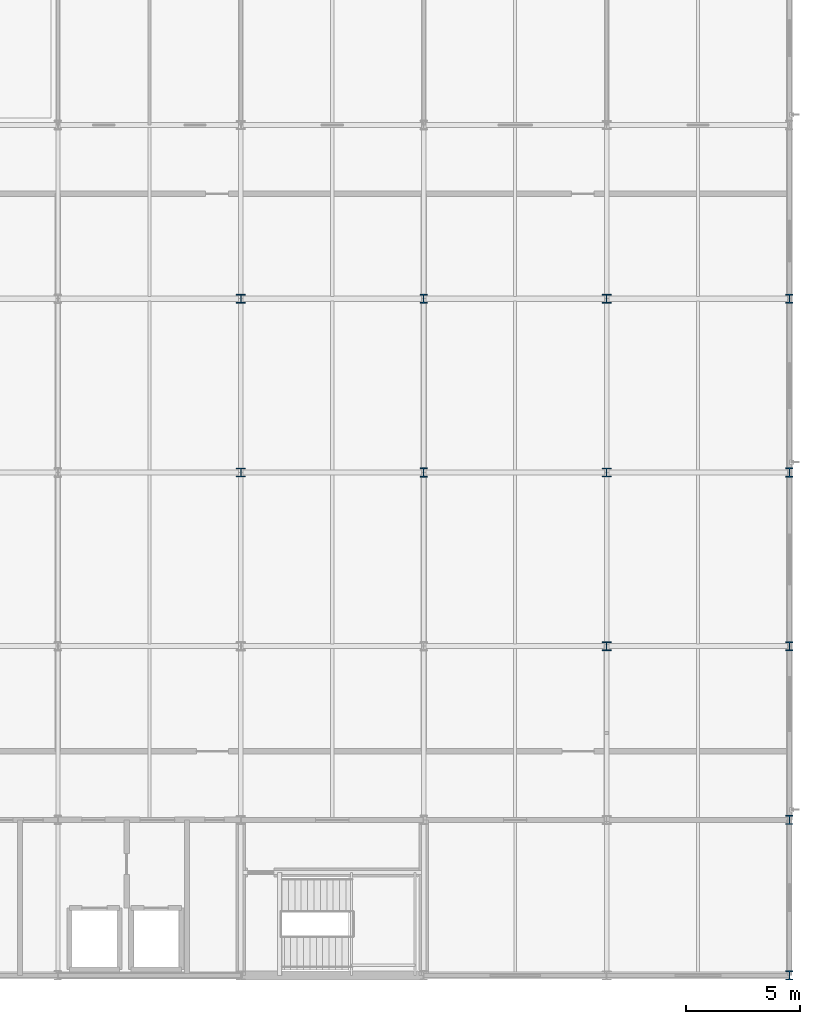
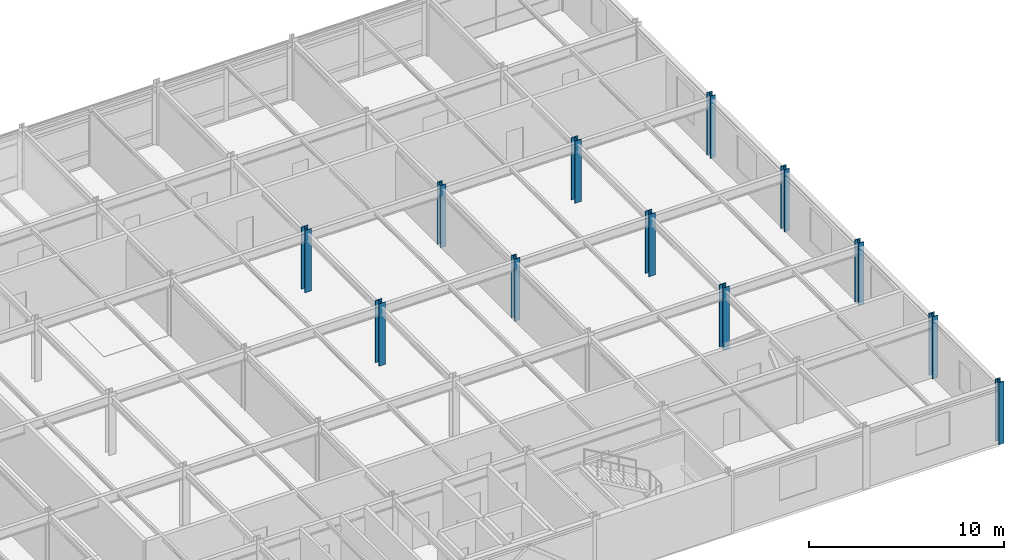
# One storey, part 2 of 18: 12 columns.
"""IFC4 building model written with IfcOpenShell, lengths in metres."""

from ifc_helpers import new_model, si_unit, direction, frame, origin, origin_2d, place, context, subcontext, project, spatial, i_section, extrude, material, material_profile, profile_set, type_object, element, save


model = new_model("IFC4")

# Units and contexts
model_context = context("Model", 3, precision=1e-05, world=origin(), true_north=direction((0.0, 1.0)))
body_context = subcontext(model_context, "Body", "Model", "MODEL_VIEW")
ifc_project = project(units=[si_unit("LENGTHUNIT", "METRE"), si_unit("AREAUNIT", "SQUARE_METRE"), si_unit("VOLUMEUNIT", "CUBIC_METRE"), si_unit("PLANEANGLEUNIT", "RADIAN"), si_unit("MASSUNIT", "GRAM", prefix="KILO")], contexts=[model_context])

# Site, building, storey
site_placement = place(None, origin())
site = spatial("IfcSite", under=ifc_project, at=site_placement, CompositionType="ELEMENT")
building_placement = place(site_placement, origin())
building = spatial("IfcBuilding", under=site, at=building_placement, Name="Shalkamar Park Central Library", CompositionType="ELEMENT")
storey_placement = place(building_placement, frame((0.0, 0.0, 24.300048828125)))
storey = spatial("IfcBuildingStorey", under=building, at=storey_placement, Name="L06", CompositionType="ELEMENT", Elevation=24.300048828125)

# Columns
ifc_material = material(Name="Steel S355", Category="steel")
ifc_material_profile_1 = material_profile(ifc_material, i_section(OverallWidth=0.39794921875, OverallDepth=0.386962890625, WebThickness=0.02099609375, FlangeThickness=0.033203125, FilletRadius=0.014892578125, at=origin_2d()), Name="HD 400x262")
ifc_profile_set_1 = profile_set([ifc_material_profile_1], Name="Steel S355")
column_type_1 = type_object("IfcColumnType", Name="Column Steel HD400x262", PredefinedType="COLUMN", material=ifc_profile_set_1)
for number, where, z_axis, x_axis, name in (
    (1, (197.0, 270.39990234375, 0.0), (0.0, 0.0, 1.0), (1.0, 0.0, 0.0), "Column 11/E (L06)"),
    (2, (197.0, 278.0, 0.0), (0.0, 0.0, 1.0), (1.0, 0.0, 0.0), "Column 11/F (L06)"),
    (3, (213.0, 262.800048828125, 0.0), (0.0, 0.0, 1.0), (1.0, 0.0, 0.0), "Column 13/D (L06)"),
    (4, (213.0, 270.39990234375, 0.0), (0.0, 0.0, 1.0), (1.0, 0.0, 0.0), "Column 13/E (L06)"),
    (5, (213.0, 278.0, 0.0), (0.0, 0.0, 1.0), (1.0, 0.0, 0.0), "Column 13/F (L06)"),
):
    element("IfcColumn", number, at=place(storey_placement, frame(where, z_axis=z_axis, x_axis=x_axis)), inside=storey, type_object=column_type_1, Name=name, PredefinedType="COLUMN", context=body_context, shape_type="SweptSolid", body=[
        extrude(i_section(OverallWidth=0.39794921875, OverallDepth=0.386962890625, WebThickness=0.02099609375, FlangeThickness=0.033203125, FilletRadius=0.014892578125, at=origin_2d()), origin(), (0.0, 0.0, 1.0), 3.89990234375),
    ])
ifc_material_profile_2 = material_profile(ifc_material, i_section(OverallWidth=0.30810546875, OverallDepth=0.39501953125, WebThickness=0.02099609375, FlangeThickness=0.0400390625, FilletRadius=0.027099609375, at=origin_2d()), Name="HEM 360")
ifc_profile_set_2 = profile_set([ifc_material_profile_2], Name="Steel S355")
column_type_2 = type_object("IfcColumnType", Name="Column Steel HEM360", PredefinedType="COLUMN", material=ifc_profile_set_2)
for number, where, z_axis, x_axis, name in (
    (6, (205.0, 270.39990234375, 0.0), (0.0, 0.0, 1.0), (1.0, 0.0, 0.0), "Column 12/E (L06)"),
    (7, (205.0, 278.0, 0.0), (0.0, 0.0, 1.0), (1.0, 0.0, 0.0), "Column 12/F (L06)"),
    (8, (221.0, 248.39990234375, 0.0), (0.0, 0.0, 1.0), (1.0, 0.0, 0.0), "Column 14/B (L06)"),
    (9, (221.0, 255.199951171875, 0.0), (0.0, 0.0, 1.0), (1.0, 0.0, 0.0), "Column 14/C (L06)"),
    (10, (221.0, 262.800048828125, 0.0), (0.0, 0.0, 1.0), (1.0, 0.0, 0.0), "Column 14/D (L06)"),
    (11, (221.0, 270.39990234375, 0.0), (0.0, 0.0, 1.0), (1.0, 0.0, 0.0), "Column 14/E (L06)"),
    (12, (221.0, 278.0, 0.0), (0.0, 0.0, 1.0), (1.0, 0.0, 0.0), "Column 14/F (L06)"),
):
    element("IfcColumn", number, at=place(storey_placement, frame(where, z_axis=z_axis, x_axis=x_axis)), inside=storey, type_object=column_type_2, Name=name, PredefinedType="COLUMN", context=body_context, shape_type="SweptSolid", body=[
        extrude(i_section(OverallWidth=0.30810546875, OverallDepth=0.39501953125, WebThickness=0.02099609375, FlangeThickness=0.0400390625, FilletRadius=0.027099609375, at=origin_2d()), origin(), (0.0, 0.0, 1.0), 3.89990234375),
    ])

save(model, "model.ifc")
